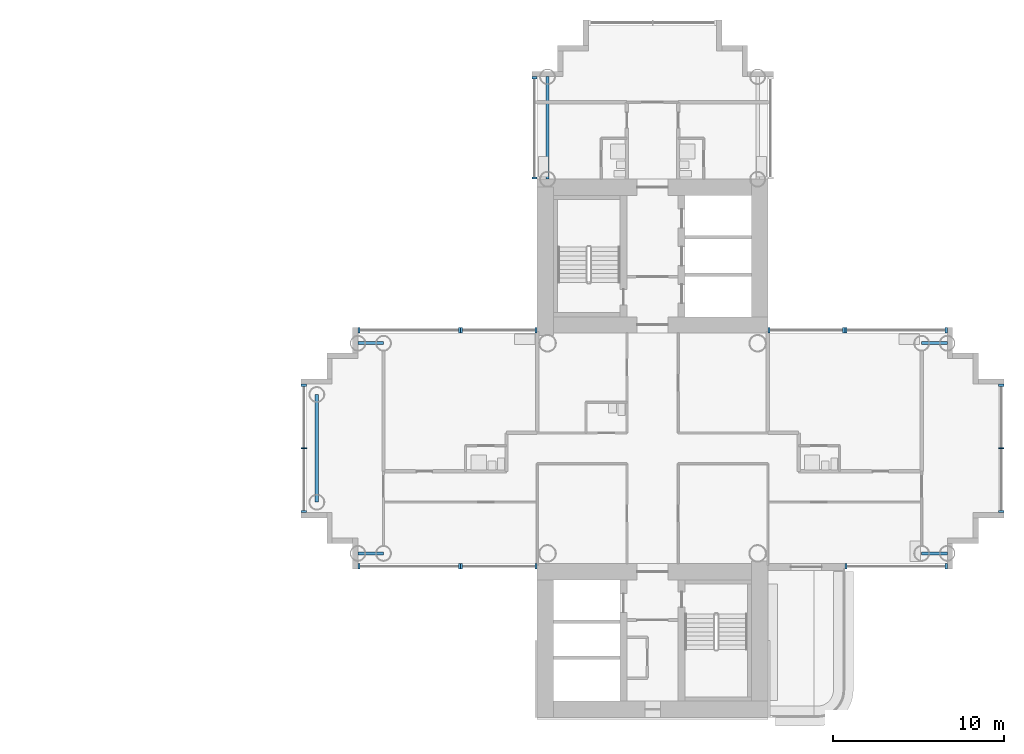
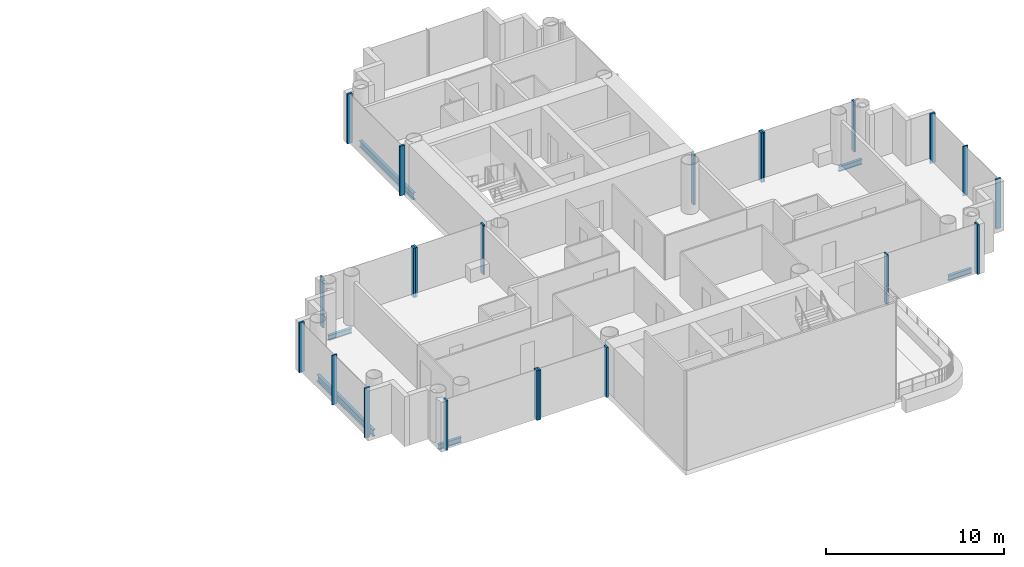
# One storey, part 5 of 21: 22 members, 6 beams, 10 elements without a shape of their own.
"""IFC4 building model written with IfcOpenShell, lengths in metres."""

from ifc_helpers import new_model, si_unit, direction, frame, origin, origin_2d, place, context, subcontext, project, spatial, rectangle, i_section, extrude, material, layer, layer_set, material_profile, profile_set, type_object, element, aggregate, save


model = new_model("IFC4")

# Units and contexts
model_context = context("Model", 3, precision=1e-05, world=origin(), true_north=direction((0.0, 1.0)))
body_context = subcontext(model_context, "Body", "Model", "MODEL_VIEW")
ifc_project = project(units=[si_unit("LENGTHUNIT", "METRE"), si_unit("AREAUNIT", "SQUARE_METRE"), si_unit("VOLUMEUNIT", "CUBIC_METRE"), si_unit("PLANEANGLEUNIT", "RADIAN"), si_unit("MASSUNIT", "GRAM", prefix="KILO")], contexts=[model_context])

# Site, building, storey
site_placement = place(None, origin())
site = spatial("IfcSite", under=ifc_project, at=site_placement, CompositionType="ELEMENT")
building_placement = place(site_placement, origin())
building = spatial("IfcBuilding", under=site, at=building_placement, Name="Ipe Terrace Towers", CompositionType="ELEMENT")
storey_placement = place(building_placement, frame((0.0, 0.0, 117.39990234375)))
storey = spatial("IfcBuildingStorey", under=building, at=storey_placement, Name="L32", CompositionType="ELEMENT", Elevation=117.39990234375)

# Beams
ifc_material_1 = material(Name="Steel S355", Category="steel")
ifc_material_profile_1 = material_profile(ifc_material_1, i_section(OverallWidth=0.175048828125, OverallDepth=0.35009765625, WebThickness=0.007080078125, FlangeThickness=0.010986328125, at=origin_2d()), Name="H-350x175x7x11")
ifc_profile_set_1 = profile_set([ifc_material_profile_1], Name="Steel S355")
beam_type_1 = type_object("IfcBeamType", Name="H04 EDGE BEAM H-350x175x7x11", PredefinedType="BEAM", material=ifc_profile_set_1)
for number, where, z_axis, x_axis, name in (
    (1, (20.25, 6.14990234375, -0.574951171875), (-1.0, 0.0, 0.0), (0.0, -1.0, 0.0), "Edge beam T2-EB-B03-B05"),
    (2, (20.25, -6.14990234375, -0.574951171875), (-1.0, 0.0, 0.0), (0.0, -1.0, 0.0), "Edge beam T2-EB-B04-B06"),
    (3, (51.75, -6.14990234375, -0.574951171875), (1.0, 0.0, 0.0), (0.0, 1.0, 0.0), "Edge beam T2-EB-D03-D05"),
    (4, (51.75, 6.14990234375, -0.574951171875), (1.0, 0.0, 0.0), (0.0, 1.0, 0.0), "Edge beam T2-EB-D04-D06"),
):
    element("IfcBeam", number, at=place(storey_placement, frame(where, z_axis=z_axis, x_axis=x_axis)), inside=storey, type_object=beam_type_1, Name=name, PredefinedType="BEAM", context=body_context, shape_type="SweptSolid", body=[
        extrude(i_section(OverallWidth=0.175048828125, OverallDepth=0.35009765625, WebThickness=0.007080078125, FlangeThickness=0.010986328125, at=origin_2d()), origin(), (0.0, 0.0, 1.0), 1.5),
    ])
ifc_material_2 = material(Name="Steel S355", Category="steel")
ifc_material_profile_2 = material_profile(ifc_material_2, i_section(OverallWidth=0.199951171875, OverallDepth=0.449951171875, WebThickness=0.009033203125, FlangeThickness=0.013916015625, at=origin_2d()), Name="H-450x200x9x14")
ifc_profile_set_2 = profile_set([ifc_material_profile_2], Name="Steel S355")
beam_type_2 = type_object("IfcBeamType", Name="H08 EDGE BEAM H-450x200x9x14", PredefinedType="BEAM", material=ifc_profile_set_2)
beam_1_placement = place(storey_placement, frame((29.85009765625, 15.75, -0.625), z_axis=(0.0, 1.0, 0.0), x_axis=(-1.0, 0.0, 0.0)))
element("IfcBeam", 5, at=beam_1_placement, inside=storey, type_object=beam_type_2, Name="Edge beam T2-EB-A02-A04", PredefinedType="BEAM", context=body_context, shape_type="SweptSolid", body=[
    extrude(i_section(OverallWidth=0.199951171875, OverallDepth=0.449951171875, WebThickness=0.009033203125, FlangeThickness=0.013916015625, at=origin_2d()), origin(), (0.0, 0.0, 1.0), 6.0),
])
beam_2_placement = place(storey_placement, frame((16.35009765625, 3.14990234375, -0.625), z_axis=(0.0, -1.0, 0.0), x_axis=(1.0, 0.0, 0.0)))
element("IfcBeam", 6, at=beam_2_placement, inside=storey, type_object=beam_type_2, Name="Edge beam T2-EB-B07-B08", PredefinedType="BEAM", context=body_context, shape_type="SweptSolid", body=[
    extrude(i_section(OverallWidth=0.199951171875, OverallDepth=0.449951171875, WebThickness=0.009033203125, FlangeThickness=0.013916015625, at=origin_2d()), origin(), (0.0, 0.0, 1.0), 6.2998046875),
])

# Curtain wall, members
ifc_material_3 = material(Name="Aluminium alloy 6063-T6", Category="aluminium")
ifc_layer = layer(ifc_material_3, 0.320068359375)
ifc_layer_set = layer_set([ifc_layer], Name="TOWER UNITISED CURTAIN WALL")
curtain_wall_type = type_object("IfcCurtainWallType", Name="TOWER UNITISED CURTAIN WALL", PredefinedType="NOTDEFINED", material=ifc_layer_set)
curtain_wall_1_placement = place(storey_placement, origin())
curtain_wall_1 = element("IfcCurtainWall", 7, at=curtain_wall_1_placement, inside=storey, type_object=curtain_wall_type, Name="T2-CW-L32-03a curtain wall", PredefinedType="NOTDEFINED")
ifc_material_4 = material(Name="Aluminium alloy 6063-T6", Category="aluminium")
ifc_material_profile_3 = material_profile(ifc_material_4, rectangle(XDim=0.320068359375, YDim=0.1201171875, at=origin_2d()), Name="TOWER UNITISED CORNER MULLION 320 x 120")
ifc_profile_set_3 = profile_set([ifc_material_profile_3], Name="Aluminium alloy 6063-T6")
member_type_1 = type_object("IfcMemberType", Name="TOWER UNITISED CORNER MULLION 320 x 120", PredefinedType="MULLION", material=ifc_profile_set_3)
member_1_placement = place(storey_placement, frame((47.31005859375, -6.909912109375, -0.2998046875), z_axis=(0.0, 0.0, 1.0), x_axis=(0.0, -1.0, 0.0)))
member_1 = element("IfcMember", 8, at=member_1_placement, type_object=member_type_1, Name="T2-CW-L32-03a mullion 1", PredefinedType="MULLION", context=body_context, shape_type="SweptSolid", body=[
    extrude(rectangle(XDim=0.320068359375, YDim=0.1201171875, at=origin_2d()), origin(), (0.0, 0.0, 1.0), 3.39990234375),
])
member_2_placement = place(storey_placement, frame((53.18994140625, -6.909912109375, -0.2998046875), z_axis=(0.0, 0.0, 1.0), x_axis=(0.0, -1.0, 0.0)))
member_2 = element("IfcMember", 9, at=member_2_placement, type_object=member_type_1, Name="T2-CW-L32-03a mullion 2", PredefinedType="MULLION", context=body_context, shape_type="SweptSolid", body=[
    extrude(rectangle(XDim=0.320068359375, YDim=0.1201171875, at=origin_2d()), origin(), (0.0, 0.0, 1.0), 3.39990234375),
])
aggregate(curtain_wall_1, [member_1, member_2])

curtain_wall_2_placement = place(storey_placement, origin())
curtain_wall_2 = element("IfcCurtainWall", 10, at=curtain_wall_2_placement, inside=storey, type_object=curtain_wall_type, Name="T2-CW-L32-08a curtain wall", PredefinedType="NOTDEFINED")
member_3_placement = place(storey_placement, frame((56.409912109375, -3.68994140625, -0.2998046875), z_axis=(0.0, 0.0, 1.0), x_axis=(1.0, 0.0, 0.0)))
member_3 = element("IfcMember", 11, at=member_3_placement, type_object=member_type_1, Name="T2-CW-L32-08a mullion 1", PredefinedType="MULLION", context=body_context, shape_type="SweptSolid", body=[
    extrude(rectangle(XDim=0.320068359375, YDim=0.1201171875, at=origin_2d()), origin(), (0.0, 0.0, 1.0), 3.39990234375),
])
member_4_placement = place(storey_placement, frame((56.409912109375, 3.68994140625, -0.2998046875), z_axis=(0.0, 0.0, 1.0), x_axis=(1.0, 0.0, 0.0)))
member_4 = element("IfcMember", 12, at=member_4_placement, type_object=member_type_1, Name="T2-CW-L32-08a mullion 3", PredefinedType="MULLION", context=body_context, shape_type="SweptSolid", body=[
    extrude(rectangle(XDim=0.320068359375, YDim=0.1201171875, at=origin_2d()), origin(), (0.0, 0.0, 1.0), 3.39990234375),
])

curtain_wall_3_placement = place(storey_placement, origin())
curtain_wall_3 = element("IfcCurtainWall", 13, at=curtain_wall_3_placement, inside=storey, type_object=curtain_wall_type, Name="T2-CW-L32-13a curtain wall", PredefinedType="NOTDEFINED")
member_5_placement = place(storey_placement, frame((53.18994140625, 6.909912109375, -0.2998046875), z_axis=(0.0, 0.0, 1.0), x_axis=(0.0, 1.0, 0.0)))
member_5 = element("IfcMember", 14, at=member_5_placement, type_object=member_type_1, Name="T2-CW-L32-13a mullion 1", PredefinedType="MULLION", context=body_context, shape_type="SweptSolid", body=[
    extrude(rectangle(XDim=0.320068359375, YDim=0.1201171875, at=origin_2d()), origin(), (0.0, 0.0, 1.0), 3.39990234375),
])
member_6_placement = place(storey_placement, frame((47.31005859375, 6.909912109375, -0.2998046875), z_axis=(0.0, 0.0, 1.0), x_axis=(0.0, 1.0, 0.0)))
member_6 = element("IfcMember", 15, at=member_6_placement, type_object=member_type_1, Name="T2-CW-L32-13a mullion 2", PredefinedType="MULLION", context=body_context, shape_type="SweptSolid", body=[
    extrude(rectangle(XDim=0.320068359375, YDim=0.1201171875, at=origin_2d()), origin(), (0.0, 0.0, 1.0), 3.39990234375),
])
aggregate(curtain_wall_3, [member_5, member_6])

curtain_wall_4_placement = place(storey_placement, origin())
curtain_wall_4 = element("IfcCurtainWall", 16, at=curtain_wall_4_placement, inside=storey, type_object=curtain_wall_type, Name="T2-CW-L32-14a curtain wall", PredefinedType="NOTDEFINED")
member_7_placement = place(storey_placement, frame((47.18994140625, 6.909912109375, -0.2998046875), z_axis=(0.0, 0.0, 1.0), x_axis=(0.0, 1.0, 0.0)))
member_7 = element("IfcMember", 17, at=member_7_placement, type_object=member_type_1, Name="T2-CW-L32-14a mullion 1", PredefinedType="MULLION", context=body_context, shape_type="SweptSolid", body=[
    extrude(rectangle(XDim=0.320068359375, YDim=0.1201171875, at=origin_2d()), origin(), (0.0, 0.0, 1.0), 3.39990234375),
])
member_8_placement = place(storey_placement, frame((42.81005859375, 6.909912109375, -0.2998046875), z_axis=(0.0, 0.0, 1.0), x_axis=(0.0, 1.0, 0.0)))
member_8 = element("IfcMember", 18, at=member_8_placement, type_object=member_type_1, Name="T2-CW-L32-14a mullion 2", PredefinedType="MULLION", context=body_context, shape_type="SweptSolid", body=[
    extrude(rectangle(XDim=0.320068359375, YDim=0.1201171875, at=origin_2d()), origin(), (0.0, 0.0, 1.0), 3.39990234375),
])
aggregate(curtain_wall_4, [member_7, member_8])

curtain_wall_5_placement = place(storey_placement, origin())
curtain_wall_5 = element("IfcCurtainWall", 19, at=curtain_wall_5_placement, inside=storey, type_object=curtain_wall_type, Name="T2-CW-L32-26a curtain wall", PredefinedType="NOTDEFINED")
member_9_placement = place(storey_placement, frame((29.090087890625, 21.68994140625, -0.2998046875), z_axis=(0.0, 0.0, 1.0), x_axis=(-1.0, 0.0, 0.0)))
member_9 = element("IfcMember", 20, at=member_9_placement, type_object=member_type_1, Name="T2-CW-L32-26a mullion 1", PredefinedType="MULLION", context=body_context, shape_type="SweptSolid", body=[
    extrude(rectangle(XDim=0.320068359375, YDim=0.1201171875, at=origin_2d()), origin(), (0.0, 0.0, 1.0), 3.39990234375),
])
member_10_placement = place(storey_placement, frame((29.090087890625, 15.81103515625, -0.2998046875), z_axis=(0.0, 0.0, 1.0), x_axis=(-1.0, 0.0, 0.0)))
member_10 = element("IfcMember", 21, at=member_10_placement, type_object=member_type_1, Name="T2-CW-L32-26a mullion 2", PredefinedType="MULLION", context=body_context, shape_type="SweptSolid", body=[
    extrude(rectangle(XDim=0.320068359375, YDim=0.1201171875, at=origin_2d()), origin(), (0.0, 0.0, 1.0), 3.39990234375),
])
aggregate(curtain_wall_5, [member_9, member_10])

curtain_wall_6_placement = place(storey_placement, origin())
curtain_wall_6 = element("IfcCurtainWall", 22, at=curtain_wall_6_placement, inside=storey, type_object=curtain_wall_type, Name="T2-CW-L32-28a curtain wall", PredefinedType="NOTDEFINED")
member_11_placement = place(storey_placement, frame((29.18994140625, 6.909912109375, -0.2998046875), z_axis=(0.0, 0.0, 1.0), x_axis=(0.0, 1.0, 0.0)))
member_11 = element("IfcMember", 23, at=member_11_placement, type_object=member_type_1, Name="T2-CW-L32-28a mullion 1", PredefinedType="MULLION", context=body_context, shape_type="SweptSolid", body=[
    extrude(rectangle(XDim=0.320068359375, YDim=0.1201171875, at=origin_2d()), origin(), (0.0, 0.0, 1.0), 3.39990234375),
])
member_12_placement = place(storey_placement, frame((24.81005859375, 6.909912109375, -0.2998046875), z_axis=(0.0, 0.0, 1.0), x_axis=(0.0, 1.0, 0.0)))
member_12 = element("IfcMember", 24, at=member_12_placement, type_object=member_type_1, Name="T2-CW-L32-28a mullion 2", PredefinedType="MULLION", context=body_context, shape_type="SweptSolid", body=[
    extrude(rectangle(XDim=0.320068359375, YDim=0.1201171875, at=origin_2d()), origin(), (0.0, 0.0, 1.0), 3.39990234375),
])
aggregate(curtain_wall_6, [member_11, member_12])

curtain_wall_7_placement = place(storey_placement, origin())
curtain_wall_7 = element("IfcCurtainWall", 25, at=curtain_wall_7_placement, inside=storey, type_object=curtain_wall_type, Name="T2-CW-L32-29a curtain wall", PredefinedType="NOTDEFINED")
member_13_placement = place(storey_placement, frame((24.68994140625, 6.909912109375, -0.2998046875), z_axis=(0.0, 0.0, 1.0), x_axis=(0.0, 1.0, 0.0)))
member_13 = element("IfcMember", 26, at=member_13_placement, type_object=member_type_1, Name="T2-CW-L32-29a mullion 1", PredefinedType="MULLION", context=body_context, shape_type="SweptSolid", body=[
    extrude(rectangle(XDim=0.320068359375, YDim=0.1201171875, at=origin_2d()), origin(), (0.0, 0.0, 1.0), 3.39990234375),
])
member_14_placement = place(storey_placement, frame((18.81005859375, 6.909912109375, -0.2998046875), z_axis=(0.0, 0.0, 1.0), x_axis=(0.0, 1.0, 0.0)))
member_14 = element("IfcMember", 27, at=member_14_placement, type_object=member_type_1, Name="T2-CW-L32-29a mullion 2", PredefinedType="MULLION", context=body_context, shape_type="SweptSolid", body=[
    extrude(rectangle(XDim=0.320068359375, YDim=0.1201171875, at=origin_2d()), origin(), (0.0, 0.0, 1.0), 3.39990234375),
])
aggregate(curtain_wall_7, [member_13, member_14])

curtain_wall_8_placement = place(storey_placement, origin())
curtain_wall_8 = element("IfcCurtainWall", 28, at=curtain_wall_8_placement, inside=storey, type_object=curtain_wall_type, Name="T2-CW-L32-34a curtain wall", PredefinedType="NOTDEFINED")
member_15_placement = place(storey_placement, frame((15.590087890625, 3.68994140625, -0.2998046875), z_axis=(0.0, 0.0, 1.0), x_axis=(-1.0, 0.0, 0.0)))
member_15 = element("IfcMember", 29, at=member_15_placement, type_object=member_type_1, Name="T2-CW-L32-34a mullion 1", PredefinedType="MULLION", context=body_context, shape_type="SweptSolid", body=[
    extrude(rectangle(XDim=0.320068359375, YDim=0.1201171875, at=origin_2d()), origin(), (0.0, 0.0, 1.0), 3.39990234375),
])
member_16_placement = place(storey_placement, frame((15.590087890625, -3.68994140625, -0.2998046875), z_axis=(0.0, 0.0, 1.0), x_axis=(-1.0, 0.0, 0.0)))
member_16 = element("IfcMember", 30, at=member_16_placement, type_object=member_type_1, Name="T2-CW-L32-34a mullion 3", PredefinedType="MULLION", context=body_context, shape_type="SweptSolid", body=[
    extrude(rectangle(XDim=0.320068359375, YDim=0.1201171875, at=origin_2d()), origin(), (0.0, 0.0, 1.0), 3.39990234375),
])

curtain_wall_9_placement = place(storey_placement, origin())
curtain_wall_9 = element("IfcCurtainWall", 31, at=curtain_wall_9_placement, inside=storey, type_object=curtain_wall_type, Name="T2-CW-L32-39a curtain wall", PredefinedType="NOTDEFINED")
member_17_placement = place(storey_placement, frame((18.81005859375, -6.909912109375, -0.2998046875), z_axis=(0.0, 0.0, 1.0), x_axis=(0.0, -1.0, 0.0)))
member_17 = element("IfcMember", 32, at=member_17_placement, type_object=member_type_1, Name="T2-CW-L32-39a mullion 1", PredefinedType="MULLION", context=body_context, shape_type="SweptSolid", body=[
    extrude(rectangle(XDim=0.320068359375, YDim=0.1201171875, at=origin_2d()), origin(), (0.0, 0.0, 1.0), 3.39990234375),
])
member_18_placement = place(storey_placement, frame((24.68994140625, -6.909912109375, -0.2998046875), z_axis=(0.0, 0.0, 1.0), x_axis=(0.0, -1.0, 0.0)))
member_18 = element("IfcMember", 33, at=member_18_placement, type_object=member_type_1, Name="T2-CW-L32-39a mullion 2", PredefinedType="MULLION", context=body_context, shape_type="SweptSolid", body=[
    extrude(rectangle(XDim=0.320068359375, YDim=0.1201171875, at=origin_2d()), origin(), (0.0, 0.0, 1.0), 3.39990234375),
])
aggregate(curtain_wall_9, [member_17, member_18])

curtain_wall_10_placement = place(storey_placement, origin())
curtain_wall_10 = element("IfcCurtainWall", 34, at=curtain_wall_10_placement, inside=storey, type_object=curtain_wall_type, Name="T2-CW-L32-40a curtain wall", PredefinedType="NOTDEFINED")
member_19_placement = place(storey_placement, frame((24.81005859375, -6.909912109375, -0.2998046875), z_axis=(0.0, 0.0, 1.0), x_axis=(0.0, -1.0, 0.0)))
member_19 = element("IfcMember", 35, at=member_19_placement, type_object=member_type_1, Name="T2-CW-L32-40a mullion 1", PredefinedType="MULLION", context=body_context, shape_type="SweptSolid", body=[
    extrude(rectangle(XDim=0.320068359375, YDim=0.1201171875, at=origin_2d()), origin(), (0.0, 0.0, 1.0), 3.39990234375),
])
member_20_placement = place(storey_placement, frame((29.18994140625, -6.909912109375, -0.2998046875), z_axis=(0.0, 0.0, 1.0), x_axis=(0.0, -1.0, 0.0)))
member_20 = element("IfcMember", 36, at=member_20_placement, type_object=member_type_1, Name="T2-CW-L32-40a mullion 2", PredefinedType="MULLION", context=body_context, shape_type="SweptSolid", body=[
    extrude(rectangle(XDim=0.320068359375, YDim=0.1201171875, at=origin_2d()), origin(), (0.0, 0.0, 1.0), 3.39990234375),
])
aggregate(curtain_wall_10, [member_19, member_20])

# Member
ifc_material_5 = material(Name="Aluminium alloy 6063-T6", Category="aluminium")
ifc_material_profile_4 = material_profile(ifc_material_5, rectangle(XDim=0.320068359375, YDim=0.06494140625, at=origin_2d()), Name="TOWER UNITISED MULLION 320 x 65")
ifc_profile_set_4 = profile_set([ifc_material_profile_4], Name="Aluminium alloy 6063-T6")
member_type_2 = type_object("IfcMemberType", Name="TOWER UNITISED MULLION 320 x 65", PredefinedType="MULLION", material=ifc_profile_set_4)
member_21_placement = place(storey_placement, frame((56.409912109375, 0.0, -0.2998046875), z_axis=(0.0, 0.0, 1.0), x_axis=(1.0, 0.0, 0.0)))
member_21 = element("IfcMember", 37, at=member_21_placement, type_object=member_type_2, Name="T2-CW-L32-08a mullion 2", PredefinedType="MULLION", context=body_context, shape_type="SweptSolid", body=[
    extrude(rectangle(XDim=0.320068359375, YDim=0.06494140625, at=origin_2d()), origin(), (0.0, 0.0, 1.0), 3.39990234375),
])

aggregate(curtain_wall_2, [member_3, member_21, member_4])

member_22_placement = place(storey_placement, frame((15.590087890625, 0.0, -0.2998046875), z_axis=(0.0, 0.0, 1.0), x_axis=(-1.0, 0.0, 0.0)))
member_22 = element("IfcMember", 38, at=member_22_placement, type_object=member_type_2, Name="T2-CW-L32-34a mullion 2", PredefinedType="MULLION", context=body_context, shape_type="SweptSolid", body=[
    extrude(rectangle(XDim=0.320068359375, YDim=0.06494140625, at=origin_2d()), origin(), (0.0, 0.0, 1.0), 3.39990234375),
])

aggregate(curtain_wall_8, [member_15, member_22, member_16])

save(model, "model.ifc")
